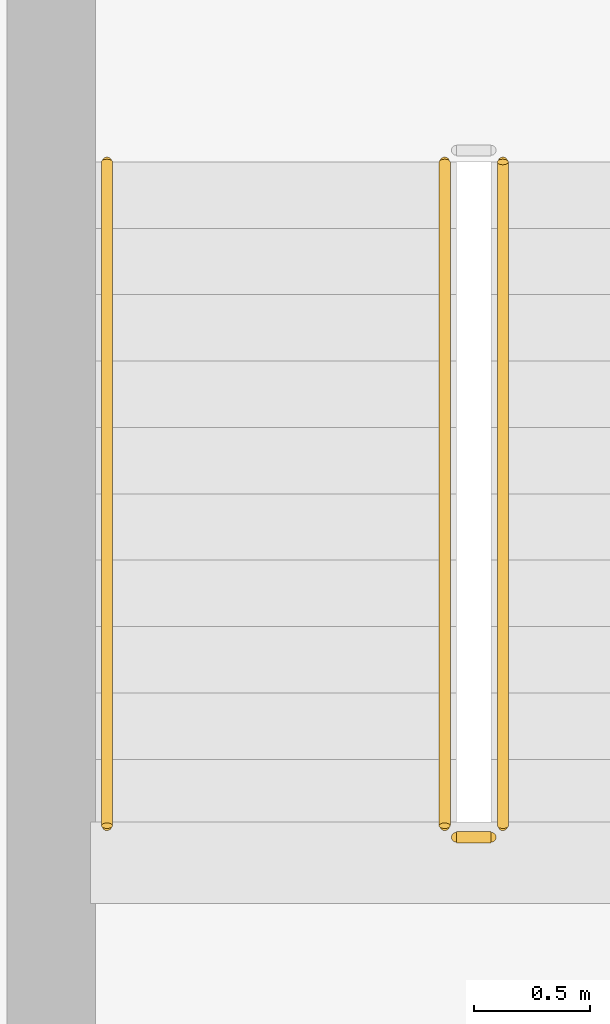
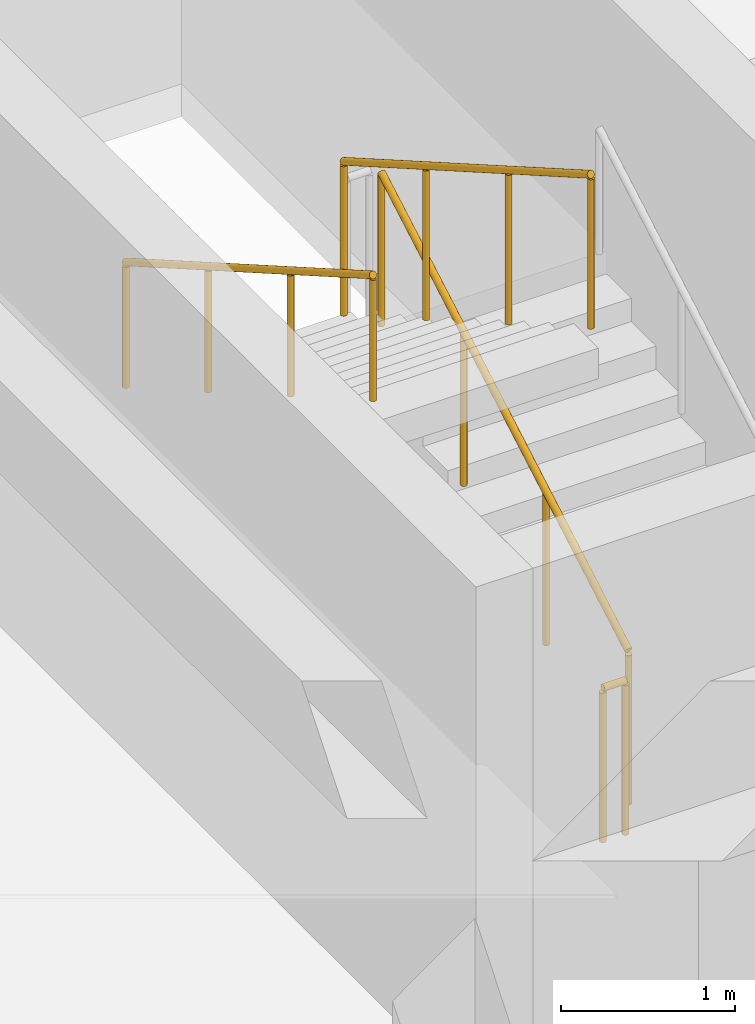
# One storey, part 137 of 155: 4 railings.
"""IFC4 building model written with IfcOpenShell, lengths in metres."""

from ifc_helpers import new_model, si_unit, direction, frame, origin, origin_2d, place, context, subcontext, project, spatial, circle, extrude, material, type_object, element, save


model = new_model("IFC4")

# Units and contexts
model_context = context("Model", 3, precision=1e-05, world=origin(), true_north=direction((0.0, 1.0)))
body_context = subcontext(model_context, "Body", "Model", "MODEL_VIEW")
ifc_project = project(units=[si_unit("LENGTHUNIT", "METRE"), si_unit("AREAUNIT", "SQUARE_METRE"), si_unit("VOLUMEUNIT", "CUBIC_METRE"), si_unit("PLANEANGLEUNIT", "RADIAN"), si_unit("MASSUNIT", "GRAM", prefix="KILO")], contexts=[model_context])

# Site, building, storey
site_placement = place(None, origin())
site = spatial("IfcSite", under=ifc_project, at=site_placement, CompositionType="ELEMENT")
building_placement = place(site_placement, origin())
building = spatial("IfcBuilding", under=site, at=building_placement, Name="Larkveld Mobility Hub", CompositionType="ELEMENT")
storey_placement = place(building_placement, frame((0.0, 0.0, 8.39990234375)))
storey = spatial("IfcBuildingStorey", under=building, at=storey_placement, Name="L02", CompositionType="ELEMENT", Elevation=8.39990234375)

# Railings
ifc_material_1 = material(Name="Galvanized Steel S355JR balustrade", Category="steel")
railing_type_1 = type_object("IfcRailingType", Name="RL-GRD-1100", PredefinedType="GUARDRAIL", material=ifc_material_1)
railing_1_placement = place(storey_placement, frame((27.10009765625, 113.39990234375, 0.163818359375)))
element("IfcRailing", 1, at=railing_1_placement, inside=storey, type_object=railing_type_1, Name="L02 ST6 stair guard 1", PredefinedType="GUARDRAIL", context=body_context, shape_type="SweptSolid", body=[
    extrude(circle(Radius=0.02392578125, at=origin_2d()), frame((0.0, 0.0, 1.076171875), z_axis=(0.0, 0.867244780686, 0.497882004468), x_axis=(-1.0, 0.0, 0.0)), (0.0, 0.0, 1.0), 3.286376953125),
    extrude(circle(Radius=0.02099609375, at=origin_2d()), origin(), (0.0, 0.0, 1.0), 1.052001953125),
    extrude(circle(Radius=0.02099609375, at=origin_2d()), frame((0.0, 0.949951171875, 0.54541015625)), (0.0, 0.0, 1.0), 1.052001953125),
    extrude(circle(Radius=0.02099609375, at=origin_2d()), frame((0.0, 1.900146484375, 1.0908203125)), (0.0, 0.0, 1.0), 1.052001953125),
    extrude(circle(Radius=0.02099609375, at=origin_2d()), frame((0.0, 2.85009765625, 1.63623046875)), (0.0, 0.0, 1.0), 1.052001953125),
])
railing_2_placement = place(storey_placement, frame((26.85009765625, 116.25, 1.963623046875)))
element("IfcRailing", 2, at=railing_2_placement, inside=storey, type_object=railing_type_1, Name="L02 ST6 stair guard 3", PredefinedType="GUARDRAIL", context=body_context, shape_type="SweptSolid", body=[
    extrude(circle(Radius=0.02392578125, at=origin_2d()), frame((0.0, 0.0, 1.076171875), z_axis=(0.0, -0.86721270334, 0.497937874806), x_axis=(1.0, 0.0, 0.0)), (0.0, 0.0, 1.0), 3.28662109375),
    extrude(circle(Radius=0.02099609375, at=origin_2d()), origin(), (0.0, 0.0, 1.0), 1.052001953125),
    extrude(circle(Radius=0.02099609375, at=origin_2d()), frame((0.0, -0.949951171875, 0.54541015625)), (0.0, 0.0, 1.0), 1.052001953125),
    extrude(circle(Radius=0.02099609375, at=origin_2d()), frame((0.0, -1.900146484375, 1.091064453125)), (0.0, 0.0, 1.0), 1.052001953125),
    extrude(circle(Radius=0.02099609375, at=origin_2d()), frame((0.0, -2.85009765625, 1.636474609375)), (0.0, 0.0, 1.0), 1.052001953125),
])
railing_3_placement = place(storey_placement, frame((27.050048828125, 113.35009765625, 0.0)))
element("IfcRailing", 3, at=railing_3_placement, inside=storey, type_object=railing_type_1, Name="L02 ST6 stair guard 4", PredefinedType="GUARDRAIL", context=body_context, shape_type="SweptSolid", body=[
    extrude(circle(Radius=0.02392578125, at=origin_2d()), frame((0.0, 0.0, 1.076171875), z_axis=(-1.0, 0.0, 0.0), x_axis=(0.0, -1.0, 0.0)), (0.0, 0.0, 1.0), 0.150146484375),
    extrude(circle(Radius=0.02099609375, at=origin_2d()), origin(), (0.0, 0.0, 1.0), 1.052001953125),
    extrude(circle(Radius=0.02099609375, at=origin_2d()), frame((-0.150146484375, 0.0, 0.0)), (0.0, 0.0, 1.0), 1.052001953125),
])
ifc_material_2 = material(Name="Brushed Steel S355JR tubular handrail", Category="steel")
railing_type_2 = type_object("IfcRailingType", Name="RL-HND-0900", PredefinedType="HANDRAIL", material=ifc_material_2)
railing_4_placement = place(storey_placement, frame((25.39990234375, 116.25, 1.963623046875)))
element("IfcRailing", 4, at=railing_4_placement, inside=storey, type_object=railing_type_2, Name="L02 ST6 stair handrail 2", PredefinedType="HANDRAIL", context=body_context, shape_type="SweptSolid", body=[
    extrude(circle(Radius=0.02392578125, at=origin_2d()), frame((0.0, 0.0, 0.8759765625), z_axis=(0.0, -0.86721270334, 0.497937874806), x_axis=(1.0, 0.0, 0.0)), (0.0, 0.0, 1.0), 3.28662109375),
    extrude(circle(Radius=0.02099609375, at=origin_2d()), origin(), (0.0, 0.0, 1.0), 0.851806640625),
    extrude(circle(Radius=0.02099609375, at=origin_2d()), frame((0.0, -0.949951171875, 0.54541015625)), (0.0, 0.0, 1.0), 0.851806640625),
    extrude(circle(Radius=0.02099609375, at=origin_2d()), frame((0.0, -1.900146484375, 1.091064453125)), (0.0, 0.0, 1.0), 0.851806640625),
    extrude(circle(Radius=0.02099609375, at=origin_2d()), frame((0.0, -2.85009765625, 1.636474609375)), (0.0, 0.0, 1.0), 0.851806640625),
])

save(model, "model.ifc")
